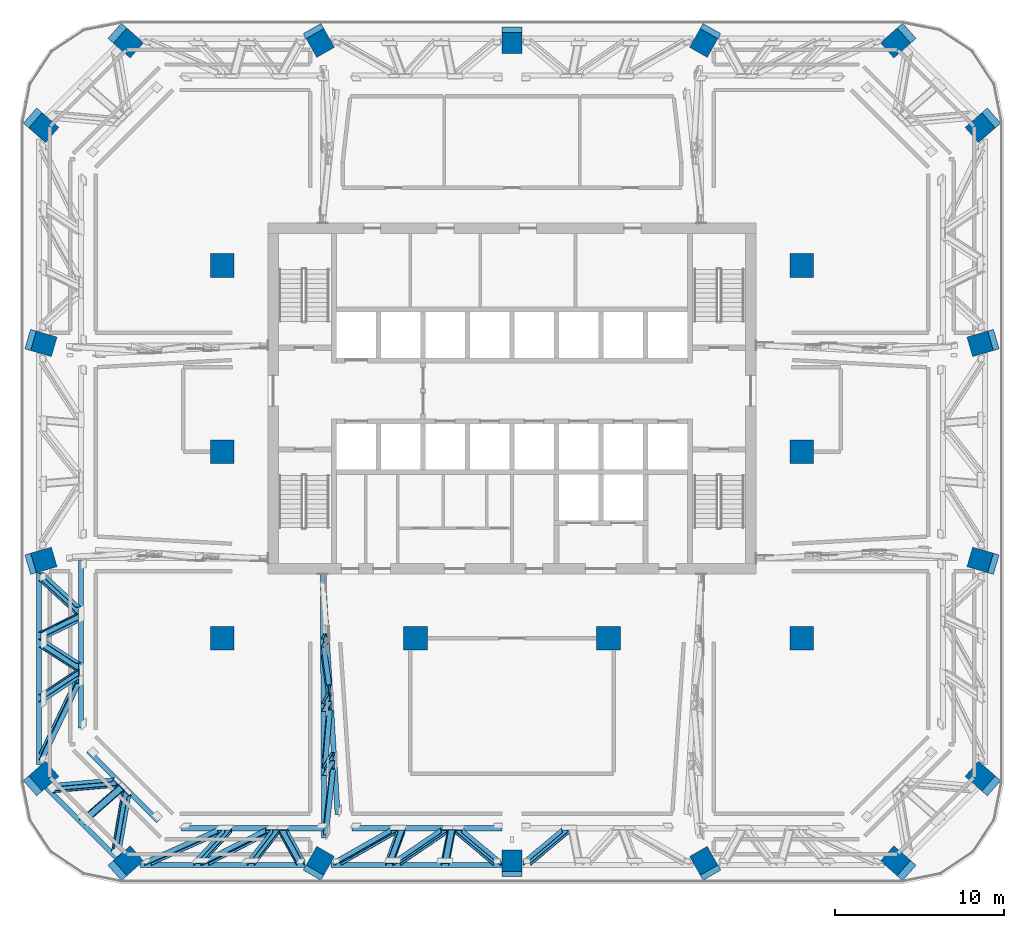
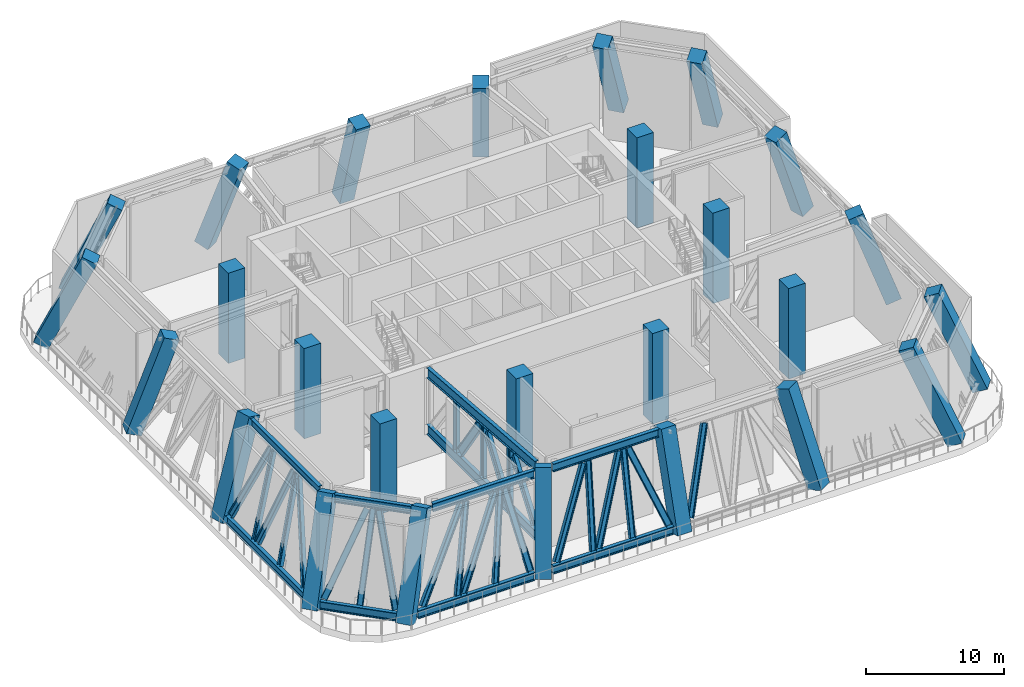
# One storey, part 1 of 24: 35 members, 26 columns.
"""IFC4 building model written with IfcOpenShell, lengths in metres."""

from ifc_helpers import new_model, si_unit, direction, frame, origin, origin_2d, place, context, subcontext, project, spatial, rectangle, i_section, extrude, material, material_profile, profile_set, type_object, element, save


model = new_model("IFC4")

# Units and contexts
model_context = context("Model", 3, precision=1e-05, world=origin(), true_north=direction((0.0, 1.0)))
body_context = subcontext(model_context, "Body", "Model", "MODEL_VIEW")
ifc_project = project(units=[si_unit("LENGTHUNIT", "METRE"), si_unit("AREAUNIT", "SQUARE_METRE"), si_unit("VOLUMEUNIT", "CUBIC_METRE"), si_unit("PLANEANGLEUNIT", "RADIAN"), si_unit("MASSUNIT", "GRAM", prefix="KILO")], contexts=[model_context])

# Site, building, storey
site_placement = place(None, origin())
site = spatial("IfcSite", under=ifc_project, at=site_placement, CompositionType="ELEMENT")
building_placement = place(site_placement, origin())
building = spatial("IfcBuilding", under=site, at=building_placement, Name="Mopane Tessera Tower", CompositionType="ELEMENT")
storey_placement = place(building_placement, frame((0.0, 0.0, 148.60009765625)))
storey = spatial("IfcBuildingStorey", under=building, at=storey_placement, Name="L30", CompositionType="ELEMENT", Elevation=148.60009765625)

# Columns
ifc_material_1 = material(Name="Concrete C50/60", Category="concrete")
ifc_material_profile_1 = material_profile(ifc_material_1, rectangle(XDim=1.39990234375, YDim=1.39990234375, at=origin_2d()))
ifc_profile_set_1 = profile_set([ifc_material_profile_1], Name="Concrete C50/60")
column_type_1 = type_object("IfcColumnType", Name="Interior column 1400 x 1400 C50/60", PredefinedType="COLUMN", material=ifc_profile_set_1)
for number, where, z_axis, x_axis, name in (
    (1, (-17.10009765625, -11.0, 0.0), (0.0, 0.0, 1.0), (1.0, 0.0, 0.0), "Interior column I1A L30"),
    (2, (-17.10009765625, 0.0, 0.0), (0.0, 0.0, 1.0), (1.0, 0.0, 0.0), "Interior column I1B L30"),
    (3, (-17.10009765625, 11.0, 0.0), (0.0, 0.0, 1.0), (1.0, 0.0, 0.0), "Interior column I1C L30"),
    (4, (-5.699951171875, -11.0, 0.0), (0.0, 0.0, 1.0), (1.0, 0.0, 0.0), "Interior column I2A L30"),
    (5, (5.699951171875, -11.0, 0.0), (0.0, 0.0, 1.0), (1.0, 0.0, 0.0), "Interior column I3A L30"),
    (6, (17.10009765625, -11.0, 0.0), (0.0, 0.0, 1.0), (1.0, 0.0, 0.0), "Interior column I4A L30"),
    (7, (17.10009765625, 0.0, 0.0), (0.0, 0.0, 1.0), (1.0, 0.0, 0.0), "Interior column I4B L30"),
    (8, (17.10009765625, 11.0, 0.0), (0.0, 0.0, 1.0), (1.0, 0.0, 0.0), "Interior column I4C L30"),
):
    element("IfcColumn", number, at=place(storey_placement, frame(where, z_axis=z_axis, x_axis=x_axis)), inside=storey, type_object=column_type_1, Name=name, PredefinedType="COLUMN", context=body_context, shape_type="SweptSolid", body=[
        extrude(rectangle(XDim=1.39990234375, YDim=1.39990234375, at=origin_2d()), origin(), (0.0, 0.0, 1.0), 8.0),
    ])
ifc_material_2 = material(Name="Concrete C50/60", Category="concrete")
ifc_material_profile_2 = material_profile(ifc_material_2, rectangle(XDim=1.199951171875, YDim=1.199951171875, at=origin_2d()))
ifc_profile_set_2 = profile_set([ifc_material_profile_2], Name="Concrete C50/60")
column_type_2 = type_object("IfcColumnType", Name="Ring column 1200 x 1200 C50/60", PredefinedType="COLUMN", material=ifc_profile_set_2)
column_1_placement = place(storey_placement, frame((-23.050048828125, -24.5, 0.0), z_axis=(0.30925679297, 0.271260320655, 0.91147028171), x_axis=(-0.659413682857, 0.751780283634, 0.0)))
element("IfcColumn", 9, at=column_1_placement, inside=storey, type_object=column_type_2, Name="Ring column S0 L30", PredefinedType="COLUMN", context=body_context, shape_type="SweptSolid", body=[
    extrude(rectangle(XDim=1.199951171875, YDim=1.199951171875, at=origin_2d()), origin(), (0.0, 0.0, 1.0), 8.777099609375),
])
column_2_placement = place(storey_placement, frame((-11.52490234375, -24.5, 0.0), z_axis=(0.160463379213, 0.281547116603, 0.94603526629), x_axis=(-0.868801799195, 0.495160008196, 0.0)))
element("IfcColumn", 10, at=column_2_placement, inside=storey, type_object=column_type_2, Name="Ring column S1 L30", PredefinedType="COLUMN", context=body_context, shape_type="SweptSolid", body=[
    extrude(rectangle(XDim=1.199951171875, YDim=1.199951171875, at=origin_2d()), origin(), (0.0, 0.0, 1.0), 8.456298828125),
])
column_3_placement = place(storey_placement, frame((0.0, -24.5, 0.0), z_axis=(0.0, 0.285243358686, 0.958455124837), x_axis=(-1.0, 0.0, 0.0)))
element("IfcColumn", 11, at=column_3_placement, inside=storey, type_object=column_type_2, Name="Ring column S2 L30", PredefinedType="COLUMN", context=body_context, shape_type="SweptSolid", body=[
    extrude(rectangle(XDim=1.199951171875, YDim=1.199951171875, at=origin_2d()), origin(), (0.0, 0.0, 1.0), 8.3466796875),
])
column_4_placement = place(storey_placement, frame((11.52490234375, -24.5, 0.0), z_axis=(-0.160463379213, 0.281547116603, 0.94603526629), x_axis=(-0.868801799195, -0.495160008196, 0.0)))
element("IfcColumn", 12, at=column_4_placement, inside=storey, type_object=column_type_2, Name="Ring column S3 L30", PredefinedType="COLUMN", context=body_context, shape_type="SweptSolid", body=[
    extrude(rectangle(XDim=1.199951171875, YDim=1.199951171875, at=origin_2d()), origin(), (0.0, 0.0, 1.0), 8.456298828125),
])
for number, where, z_axis, x_axis, name in (
    (13, (23.050048828125, -24.5, 0.0), (-0.30925679297, 0.271260320655, 0.91147028171), (-0.659413682857, -0.751780283634, 0.0), "Ring column S4 L30"),
    (14, (28.050048828125, -19.5, 0.0), (-0.30925679297, 0.271260320655, 0.91147028171), (-0.659413682857, -0.751780283634, 0.0), "Ring column E0 L30"),
):
    element("IfcColumn", number, at=place(storey_placement, frame(where, z_axis=z_axis, x_axis=x_axis)), inside=storey, type_object=column_type_2, Name=name, PredefinedType="COLUMN", context=body_context, shape_type="SweptSolid", body=[
        extrude(rectangle(XDim=1.199951171875, YDim=1.199951171875, at=origin_2d()), origin(), (0.0, 0.0, 1.0), 8.777099609375),
    ])
for number, where, z_axis, x_axis, name in (
    (15, (28.050048828125, -6.5, 0.0), (-0.319895858585, 0.093511561468, 0.942826721902), (-0.280576780783, -0.95983158423, 0.0), "Ring column E1 L30"),
    (16, (28.050048828125, 6.5, 0.0), (-0.319895858585, -0.093511561468, 0.942826721902), (0.280576780783, -0.95983158423, 0.0), "Ring column E2 L30"),
):
    element("IfcColumn", number, at=place(storey_placement, frame(where, z_axis=z_axis, x_axis=x_axis)), inside=storey, type_object=column_type_2, Name=name, PredefinedType="COLUMN", context=body_context, shape_type="SweptSolid", body=[
        extrude(rectangle(XDim=1.199951171875, YDim=1.199951171875, at=origin_2d()), origin(), (0.0, 0.0, 1.0), 8.485107421875),
    ])
for number, where, z_axis, x_axis, name in (
    (17, (28.050048828125, 19.5, 0.0), (-0.30925679297, -0.271260320655, 0.91147028171), (0.659413682857, -0.751780283634, 0.0), "Ring column E3 L30"),
    (18, (23.050048828125, 24.5, 0.0), (-0.30925679297, -0.271260320655, 0.91147028171), (0.659413682857, -0.751780283634, 0.0), "Ring column N0 L30"),
):
    element("IfcColumn", number, at=place(storey_placement, frame(where, z_axis=z_axis, x_axis=x_axis)), inside=storey, type_object=column_type_2, Name=name, PredefinedType="COLUMN", context=body_context, shape_type="SweptSolid", body=[
        extrude(rectangle(XDim=1.199951171875, YDim=1.199951171875, at=origin_2d()), origin(), (0.0, 0.0, 1.0), 8.777099609375),
    ])
column_5_placement = place(storey_placement, frame((11.52490234375, 24.5, 0.0), z_axis=(-0.160463379213, -0.281547116603, 0.94603526629), x_axis=(0.868801799195, -0.495160008196, 0.0)))
element("IfcColumn", 19, at=column_5_placement, inside=storey, type_object=column_type_2, Name="Ring column N1 L30", PredefinedType="COLUMN", context=body_context, shape_type="SweptSolid", body=[
    extrude(rectangle(XDim=1.199951171875, YDim=1.199951171875, at=origin_2d()), origin(), (0.0, 0.0, 1.0), 8.456298828125),
])
column_6_placement = place(storey_placement, frame((0.0, 24.5, 0.0), z_axis=(0.0, -0.285243358686, 0.958455124837), x_axis=(1.0, 0.0, 0.0)))
element("IfcColumn", 20, at=column_6_placement, inside=storey, type_object=column_type_2, Name="Ring column N2 L30", PredefinedType="COLUMN", context=body_context, shape_type="SweptSolid", body=[
    extrude(rectangle(XDim=1.199951171875, YDim=1.199951171875, at=origin_2d()), origin(), (0.0, 0.0, 1.0), 8.3466796875),
])
column_7_placement = place(storey_placement, frame((-11.52490234375, 24.5, 0.0), z_axis=(0.160463379213, -0.281547116603, 0.94603526629), x_axis=(0.868801799195, 0.495160008196, 0.0)))
element("IfcColumn", 21, at=column_7_placement, inside=storey, type_object=column_type_2, Name="Ring column N3 L30", PredefinedType="COLUMN", context=body_context, shape_type="SweptSolid", body=[
    extrude(rectangle(XDim=1.199951171875, YDim=1.199951171875, at=origin_2d()), origin(), (0.0, 0.0, 1.0), 8.456298828125),
])
for number, where, z_axis, x_axis, name in (
    (22, (-23.050048828125, 24.5, 0.0), (0.30925679297, -0.271260320655, 0.91147028171), (0.659413682857, 0.751780283634, 0.0), "Ring column N4 L30"),
    (23, (-28.050048828125, 19.5, 0.0), (0.30925679297, -0.271260320655, 0.91147028171), (0.659413682857, 0.751780283634, 0.0), "Ring column W0 L30"),
):
    element("IfcColumn", number, at=place(storey_placement, frame(where, z_axis=z_axis, x_axis=x_axis)), inside=storey, type_object=column_type_2, Name=name, PredefinedType="COLUMN", context=body_context, shape_type="SweptSolid", body=[
        extrude(rectangle(XDim=1.199951171875, YDim=1.199951171875, at=origin_2d()), origin(), (0.0, 0.0, 1.0), 8.777099609375),
    ])
for number, where, z_axis, x_axis, name in (
    (24, (-28.050048828125, 6.5, 0.0), (0.319895858585, -0.093511561468, 0.942826721902), (0.280576780783, 0.95983158423, 0.0), "Ring column W1 L30"),
    (25, (-28.050048828125, -6.5, 0.0), (0.319895858585, 0.093511561468, 0.942826721902), (-0.280576780783, 0.95983158423, 0.0), "Ring column W2 L30"),
):
    element("IfcColumn", number, at=place(storey_placement, frame(where, z_axis=z_axis, x_axis=x_axis)), inside=storey, type_object=column_type_2, Name=name, PredefinedType="COLUMN", context=body_context, shape_type="SweptSolid", body=[
        extrude(rectangle(XDim=1.199951171875, YDim=1.199951171875, at=origin_2d()), origin(), (0.0, 0.0, 1.0), 8.485107421875),
    ])
column_8_placement = place(storey_placement, frame((-28.050048828125, -19.5, 0.0), z_axis=(0.30925679297, 0.271260320655, 0.91147028171), x_axis=(-0.659413682857, 0.751780283634, 0.0)))
element("IfcColumn", 26, at=column_8_placement, inside=storey, type_object=column_type_2, Name="Ring column W3 L30", PredefinedType="COLUMN", context=body_context, shape_type="SweptSolid", body=[
    extrude(rectangle(XDim=1.199951171875, YDim=1.199951171875, at=origin_2d()), origin(), (0.0, 0.0, 1.0), 8.777099609375),
])

# Members
ifc_material_3 = material(Name="Structural steel S460", Category="steel")
ifc_material_profile_3 = material_profile(ifc_material_3, i_section(OverallWidth=0.303955078125, OverallDepth=0.716064453125, WebThickness=0.02099609375, FlangeThickness=0.0400390625, FilletRadius=0.027099609375, at=origin_2d()))
ifc_profile_set_3 = profile_set([ifc_material_profile_3], Name="Structural steel S460")
member_type_1 = type_object("IfcMemberType", Name="Belt truss chord HE 700 M", PredefinedType="CHORD", material=ifc_profile_set_3)
member_1_placement = place(storey_placement, frame((-21.97216796875, -24.3935546875, 0.35791015625), z_axis=(1.0, 0.0, 0.0), x_axis=(0.0, 1.0, 0.0)))
element("IfcMember", 27, at=member_1_placement, inside=storey, type_object=member_type_1, Name="Belt truss bottom chord L30 S0-S1", PredefinedType="CHORD", context=body_context, shape_type="SweptSolid", body=[
    extrude(i_section(OverallWidth=0.303955078125, OverallDepth=0.716064453125, WebThickness=0.02099609375, FlangeThickness=0.0400390625, FilletRadius=0.027099609375, at=origin_2d()), origin(), (0.0, 0.0, 1.0), 9.7314453125),
])
member_2_placement = place(storey_placement, frame((-19.500732421875, -22.2255859375, 7.641845703125), z_axis=(1.0, 0.0, 0.0), x_axis=(0.0, 1.0, 0.0)))
element("IfcMember", 28, at=member_2_placement, inside=storey, type_object=member_type_1, Name="Belt truss top chord L30 S0-S1", PredefinedType="CHORD", context=body_context, shape_type="SweptSolid", body=[
    extrude(i_section(OverallWidth=0.303955078125, OverallDepth=0.716064453125, WebThickness=0.02099609375, FlangeThickness=0.0400390625, FilletRadius=0.027099609375, at=origin_2d()), origin(), (0.0, 0.0, 1.0), 8.495361328125),
])
member_3_placement = place(storey_placement, frame((-10.6875, -24.3935546875, 0.35791015625), z_axis=(1.0, 0.0, 0.0), x_axis=(0.0, 1.0, 0.0)))
element("IfcMember", 29, at=member_3_placement, inside=storey, type_object=member_type_1, Name="Belt truss bottom chord L30 S1-S2", PredefinedType="CHORD", context=body_context, shape_type="SweptSolid", body=[
    extrude(i_section(OverallWidth=0.303955078125, OverallDepth=0.716064453125, WebThickness=0.02099609375, FlangeThickness=0.0400390625, FilletRadius=0.027099609375, at=origin_2d()), origin(), (0.0, 0.0, 1.0), 10.087890625),
])
member_4_placement = place(storey_placement, frame((-9.451904296875, -22.2255859375, 7.641845703125), z_axis=(1.0, 0.0, 0.0), x_axis=(0.0, 1.0, 0.0)))
element("IfcMember", 30, at=member_4_placement, inside=storey, type_object=member_type_1, Name="Belt truss top chord L30 S1-S2", PredefinedType="CHORD", context=body_context, shape_type="SweptSolid", body=[
    extrude(i_section(OverallWidth=0.303955078125, OverallDepth=0.716064453125, WebThickness=0.02099609375, FlangeThickness=0.0400390625, FilletRadius=0.027099609375, at=origin_2d()), origin(), (0.0, 0.0, 1.0), 8.852294921875),
])
member_5_placement = place(storey_placement, frame((-27.928466796875, -7.133544921875, 0.35791015625), z_axis=(0.0, -1.0, 0.0), x_axis=(1.0, 0.0, 0.0)))
element("IfcMember", 31, at=member_5_placement, inside=storey, type_object=member_type_1, Name="Belt truss bottom chord L30 W2-W3", PredefinedType="CHORD", context=body_context, shape_type="SweptSolid", body=[
    extrude(i_section(OverallWidth=0.303955078125, OverallDepth=0.716064453125, WebThickness=0.02099609375, FlangeThickness=0.0400390625, FilletRadius=0.027099609375, at=origin_2d()), origin(), (0.0, 0.0, 1.0), 11.3291015625),
])
member_6_placement = place(storey_placement, frame((-25.45703125, -6.410888671875, 7.641845703125), z_axis=(0.0, -1.0, 0.0), x_axis=(1.0, 0.0, 0.0)))
element("IfcMember", 32, at=member_6_placement, inside=storey, type_object=member_type_1, Name="Belt truss top chord L30 W2-W3", PredefinedType="CHORD", context=body_context, shape_type="SweptSolid", body=[
    extrude(i_section(OverallWidth=0.303955078125, OverallDepth=0.716064453125, WebThickness=0.02099609375, FlangeThickness=0.0400390625, FilletRadius=0.027099609375, at=origin_2d()), origin(), (0.0, 0.0, 1.0), 9.884033203125),
])
member_7_placement = place(storey_placement, frame((-27.496826171875, -19.8251953125, 0.35791015625), z_axis=(0.707106781187, -0.707106781187, 0.0), x_axis=(0.707106781187, 0.707106781187, 0.0)))
element("IfcMember", 33, at=member_7_placement, inside=storey, type_object=member_type_1, Name="Belt truss bottom chord L30 W3-S0", PredefinedType="CHORD", context=body_context, shape_type="SweptSolid", body=[
    extrude(i_section(OverallWidth=0.303955078125, OverallDepth=0.716064453125, WebThickness=0.02099609375, FlangeThickness=0.0400390625, FilletRadius=0.027099609375, at=origin_2d()), origin(), (0.0, 0.0, 1.0), 5.849853515625),
])
member_8_placement = place(storey_placement, frame((-25.025390625, -17.657470703125, 7.641845703125), z_axis=(0.707127648719, -0.707085913038, 0.0), x_axis=(0.707085913038, 0.707127648719, 0.0)))
element("IfcMember", 34, at=member_8_placement, inside=storey, type_object=member_type_1, Name="Belt truss top chord L30 W3-S0", PredefinedType="CHORD", context=body_context, shape_type="SweptSolid", body=[
    extrude(i_section(OverallWidth=0.303955078125, OverallDepth=0.716064453125, WebThickness=0.02099609375, FlangeThickness=0.0400390625, FilletRadius=0.027099609375, at=origin_2d()), origin(), (0.0, 0.0, 1.0), 5.849609375),
])
ifc_material_4 = material(Name="Structural steel S460", Category="steel")
ifc_material_profile_4 = material_profile(ifc_material_4, i_section(OverallWidth=0.300048828125, OverallDepth=0.5, WebThickness=0.014404296875, FlangeThickness=0.028076171875, FilletRadius=0.027099609375, at=origin_2d()))
ifc_profile_set_4 = profile_set([ifc_material_profile_4], Name="Structural steel S460")
member_type_2 = type_object("IfcMemberType", Name="Belt truss diagonal HE 500 B", PredefinedType="BRACE", material=ifc_profile_set_4)
member_9_placement = place(storey_placement, frame((-21.50634765625, -24.271240234375, 0.768798828125), z_axis=(0.539957771067, 0.240096366228, 0.806721352382), x_axis=(-0.133562461913, 0.970749058537, -0.199517753889)))
element("IfcMember", 35, at=member_9_placement, inside=storey, type_object=member_type_2, Name="Belt truss diagonal 0 L30 S0-S1", PredefinedType="BRACE", context=body_context, shape_type="SweptSolid", body=[
    extrude(i_section(OverallWidth=0.300048828125, OverallDepth=0.5, WebThickness=0.014404296875, FlangeThickness=0.028076171875, FilletRadius=0.027099609375, at=origin_2d()), origin(), (0.0, 0.0, 1.0), 8.0107421875),
])
member_10_placement = place(storey_placement, frame((-18.126220703125, -24.273681640625, 0.7607421875), z_axis=(0.489528727002, 0.248748496806, 0.83575463551), x_axis=(-0.125750463876, 0.968568110283, -0.214622078497)))
element("IfcMember", 36, at=member_10_placement, inside=storey, type_object=member_type_2, Name="Belt truss diagonal 1 L30 S0-S1", PredefinedType="BRACE", context=body_context, shape_type="SweptSolid", body=[
    extrude(i_section(OverallWidth=0.300048828125, OverallDepth=0.5, WebThickness=0.014404296875, FlangeThickness=0.028076171875, FilletRadius=0.027099609375, at=origin_2d()), origin(), (0.0, 0.0, 1.0), 7.751708984375),
])
member_11_placement = place(storey_placement, frame((-13.532958984375, -22.347900390625, 7.231201171875), z_axis=(0.154753056421, -0.281817979308, -0.946905548652), x_axis=(0.045419249479, 0.959467886571, -0.278133900157)))
element("IfcMember", 37, at=member_11_placement, inside=storey, type_object=member_type_2, Name="Belt truss diagonal 2 L30 S0-S1", PredefinedType="BRACE", context=body_context, shape_type="SweptSolid", body=[
    extrude(i_section(OverallWidth=0.300048828125, OverallDepth=0.5, WebThickness=0.014404296875, FlangeThickness=0.028076171875, FilletRadius=0.027099609375, at=origin_2d()), origin(), (0.0, 0.0, 1.0), 6.82470703125),
])
member_12_placement = place(storey_placement, frame((-10.31396484375, -24.269775390625, 0.7734375), z_axis=(0.447801640419, 0.255043639384, 0.856986833532), x_axis=(-0.118069036868, 0.966929542152, -0.226068491937)))
element("IfcMember", 38, at=member_12_placement, inside=storey, type_object=member_type_2, Name="Belt truss diagonal 0 L30 S1-S2", PredefinedType="BRACE", context=body_context, shape_type="SweptSolid", body=[
    extrude(i_section(OverallWidth=0.300048828125, OverallDepth=0.5, WebThickness=0.014404296875, FlangeThickness=0.028076171875, FilletRadius=0.027099609375, at=origin_2d()), origin(), (0.0, 0.0, 1.0), 7.52978515625),
])
member_13_placement = place(storey_placement, frame((-6.800048828125, -24.272216796875, 0.765380859375), z_axis=(0.386206711804, 0.263121047886, 0.884088055522), x_axis=(-0.105312041538, 0.964762827733, -0.241126647496)))
element("IfcMember", 39, at=member_13_placement, inside=storey, type_object=member_type_2, Name="Belt truss diagonal 1 L30 S1-S2", PredefinedType="BRACE", context=body_context, shape_type="SweptSolid", body=[
    extrude(i_section(OverallWidth=0.300048828125, OverallDepth=0.5, WebThickness=0.014404296875, FlangeThickness=0.028076171875, FilletRadius=0.027099609375, at=origin_2d()), origin(), (0.0, 0.0, 1.0), 7.317138671875),
])
for number, where, z_axis, x_axis, name in (
    (40, (-3.178466796875, -22.349365234375, 7.226318359375), (0.322762135486, -0.269975218814, -0.907159294238), (0.090500976826, 0.962867270821, -0.254354461284), "Belt truss diagonal 2 L30 S1-S2"),
    (41, (0.882568359375, -24.269775390625, 0.7734375), (0.322762135486, 0.269975218814, 0.907159294238), (-0.090500976826, 0.962867270821, -0.254354461284), "Belt truss diagonal 0 L30 S2-S3"),
):
    element("IfcMember", number, at=place(storey_placement, frame(where, z_axis=z_axis, x_axis=x_axis)), inside=storey, type_object=member_type_2, Name=name, PredefinedType="BRACE", context=body_context, shape_type="SweptSolid", body=[
        extrude(i_section(OverallWidth=0.300048828125, OverallDepth=0.5, WebThickness=0.014404296875, FlangeThickness=0.028076171875, FilletRadius=0.027099609375, at=origin_2d()), origin(), (0.0, 0.0, 1.0), 7.11328125),
    ])
member_14_placement = place(storey_placement, frame((-27.782958984375, -7.377197265625, 0.787109375), z_axis=(0.308034642932, -0.284337016987, 0.907891579168), x_axis=(0.951375140784, 0.092078103531, -0.293950615494)))
element("IfcMember", 42, at=member_14_placement, inside=storey, type_object=member_type_2, Name="Belt truss diagonal 0 L30 W2-W3", PredefinedType="BRACE", context=body_context, shape_type="SweptSolid", body=[
    extrude(i_section(OverallWidth=0.300048828125, OverallDepth=0.5, WebThickness=0.014404296875, FlangeThickness=0.028076171875, FilletRadius=0.027099609375, at=origin_2d()), origin(), (0.0, 0.0, 1.0), 7.07763671875),
])
member_15_placement = place(storey_placement, frame((-27.78564453125, -11.291259765625, 0.779541015625), z_axis=(0.314628603401, -0.203285505146, 0.927191374701), x_axis=(0.949214855117, 0.06740952681, -0.307322492701)))
element("IfcMember", 43, at=member_15_placement, inside=storey, type_object=member_type_2, Name="Belt truss diagonal 1 L30 W2-W3", PredefinedType="BRACE", context=body_context, shape_type="SweptSolid", body=[
    extrude(i_section(OverallWidth=0.300048828125, OverallDepth=0.5, WebThickness=0.014404296875, FlangeThickness=0.028076171875, FilletRadius=0.027099609375, at=origin_2d()), origin(), (0.0, 0.0, 1.0), 6.946533203125),
])
member_16_placement = place(storey_placement, frame((-25.602783203125, -13.484375, 7.212890625), z_axis=(-0.267157591425, -0.5555262391, -0.787411848409), x_axis=(0.963652852959, -0.153995532867, -0.218308393888)))
element("IfcMember", 44, at=member_16_placement, inside=storey, type_object=member_type_2, Name="Belt truss diagonal 2 L30 W2-W3", PredefinedType="BRACE", context=body_context, shape_type="SweptSolid", body=[
    extrude(i_section(OverallWidth=0.300048828125, OverallDepth=0.5, WebThickness=0.014404296875, FlangeThickness=0.028076171875, FilletRadius=0.027099609375, at=origin_2d()), origin(), (0.0, 0.0, 1.0), 8.16064453125),
])
member_17_placement = place(storey_placement, frame((-27.20263671875, -19.86328125, 0.759765625), z_axis=(0.504595818255, 0.044567108449, 0.862204635248), x_axis=(0.554692988801, 0.748541479717, -0.363319888415)))
element("IfcMember", 45, at=member_17_placement, inside=storey, type_object=member_type_2, Name="Belt truss diagonal 0 L30 W3-S0", PredefinedType="BRACE", context=body_context, shape_type="SweptSolid", body=[
    extrude(i_section(OverallWidth=0.300048828125, OverallDepth=0.5, WebThickness=0.014404296875, FlangeThickness=0.028076171875, FilletRadius=0.027099609375, at=origin_2d()), origin(), (0.0, 0.0, 1.0), 7.515869140625),
])
member_18_placement = place(storey_placement, frame((-22.776611328125, -20.161865234375, 7.239990234375), z_axis=(-0.081781629419, -0.475976340966, -0.875647353636), x_axis=(0.734409592741, 0.565169586582, -0.375800330619)))
element("IfcMember", 46, at=member_18_placement, inside=storey, type_object=member_type_2, Name="Belt truss diagonal 1 L30 W3-S0", PredefinedType="BRACE", context=body_context, shape_type="SweptSolid", body=[
    extrude(i_section(OverallWidth=0.300048828125, OverallDepth=0.5, WebThickness=0.014404296875, FlangeThickness=0.028076171875, FilletRadius=0.027099609375, at=origin_2d()), origin(), (0.0, 0.0, 1.0), 7.400390625),
])
ifc_material_5 = material(Name="Structural steel S460", Category="steel")
ifc_material_profile_5 = material_profile(ifc_material_5, i_section(OverallWidth=0.300048828125, OverallDepth=0.449951171875, WebThickness=0.013916015625, FlangeThickness=0.02587890625, FilletRadius=0.027099609375, at=origin_2d()))
ifc_profile_set_5 = profile_set([ifc_material_profile_5], Name="Structural steel S460")
member_type_3 = type_object("IfcMemberType", Name="Belt truss post HE 450 B", PredefinedType="POST", material=ifc_profile_set_5)
member_19_placement = place(storey_placement, frame((-18.58349609375, -24.286865234375, 0.7158203125), z_axis=(0.256114656832, 0.275744259413, 0.926482803919), x_axis=(-0.073510528883, 0.961231034564, -0.265765122494)))
element("IfcMember", 47, at=member_19_placement, inside=storey, type_object=member_type_3, Name="Belt truss post 1 L30 S0-S1", PredefinedType="POST", context=body_context, shape_type="SweptSolid", body=[
    extrude(i_section(OverallWidth=0.300048828125, OverallDepth=0.449951171875, WebThickness=0.013916015625, FlangeThickness=0.02587890625, FilletRadius=0.027099609375, at=origin_2d()), origin(), (0.0, 0.0, 1.0), 7.08935546875),
])
member_20_placement = place(storey_placement, frame((-15.426513671875, -24.286865234375, 0.7158203125), z_axis=(0.214820709014, 0.278598868978, 0.936074106673), x_axis=(-0.062297860569, 0.960407554053, -0.271544299675)))
element("IfcMember", 48, at=member_20_placement, inside=storey, type_object=member_type_3, Name="Belt truss post 2 L30 S0-S1", PredefinedType="POST", context=body_context, shape_type="SweptSolid", body=[
    extrude(i_section(OverallWidth=0.300048828125, OverallDepth=0.449951171875, WebThickness=0.013916015625, FlangeThickness=0.02587890625, FilletRadius=0.027099609375, at=origin_2d()), origin(), (0.0, 0.0, 1.0), 7.0166015625),
])
member_21_placement = place(storey_placement, frame((-7.247802734375, -24.286865234375, 0.7158203125), z_axis=(0.102768832793, 0.283748291095, 0.953375830566), x_axis=(-0.030455696145, 0.958898798305, -0.282109101558)))
element("IfcMember", 49, at=member_21_placement, inside=storey, type_object=member_type_3, Name="Belt truss post 1 L30 S1-S2", PredefinedType="POST", context=body_context, shape_type="SweptSolid", body=[
    extrude(i_section(OverallWidth=0.300048828125, OverallDepth=0.449951171875, WebThickness=0.013916015625, FlangeThickness=0.02587890625, FilletRadius=0.027099609375, at=origin_2d()), origin(), (0.0, 0.0, 1.0), 6.889404296875),
])
member_22_placement = place(storey_placement, frame((-3.9580078125, -24.286865234375, 0.7158203125), z_axis=(0.056306738982, 0.284806101722, 0.956930005574), x_axis=(-0.01684538224, 0.958585140719, -0.284307511491)))
element("IfcMember", 50, at=member_22_placement, inside=storey, type_object=member_type_3, Name="Belt truss post 2 L30 S1-S2", PredefinedType="POST", context=body_context, shape_type="SweptSolid", body=[
    extrude(i_section(OverallWidth=0.300048828125, OverallDepth=0.449951171875, WebThickness=0.013916015625, FlangeThickness=0.02587890625, FilletRadius=0.027099609375, at=origin_2d()), origin(), (0.0, 0.0, 1.0), 6.86376953125),
])
member_23_placement = place(storey_placement, frame((-27.80712890625, -10.866943359375, 0.7158203125), z_axis=(0.317327080208, 0.156821040624, 0.935259688741), x_axis=(0.948316151939, -0.052487909456, -0.312956059746)))
element("IfcMember", 51, at=member_23_placement, inside=storey, type_object=member_type_3, Name="Belt truss post 1 L30 W2-W3", PredefinedType="POST", context=body_context, shape_type="SweptSolid", body=[
    extrude(i_section(OverallWidth=0.300048828125, OverallDepth=0.449951171875, WebThickness=0.013916015625, FlangeThickness=0.02587890625, FilletRadius=0.027099609375, at=origin_2d()), origin(), (0.0, 0.0, 1.0), 7.022705078125),
])
member_24_placement = place(storey_placement, frame((-27.80712890625, -14.555908203125, 0.7158203125), z_axis=(0.314271402728, 0.208056757963, 0.926253675239), x_axis=(0.949333178878, -0.068845032913, -0.306638022633)))
element("IfcMember", 52, at=member_24_placement, inside=storey, type_object=member_type_3, Name="Belt truss post 2 L30 W2-W3", PredefinedType="POST", context=body_context, shape_type="SweptSolid", body=[
    extrude(i_section(OverallWidth=0.300048828125, OverallDepth=0.449951171875, WebThickness=0.013916015625, FlangeThickness=0.02587890625, FilletRadius=0.027099609375, at=origin_2d()), origin(), (0.0, 0.0, 1.0), 7.091064453125),
])
member_25_placement = place(storey_placement, frame((-25.30712890625, -21.786865234375, 0.7158203125), z_axis=(0.309254295345, 0.27127510329, 0.911466729588), x_axis=(0.636223022636, 0.653344973559, -0.410317695198)))
element("IfcMember", 53, at=member_25_placement, inside=storey, type_object=member_type_3, Name="Belt truss post 1 L30 W3-S0", PredefinedType="POST", context=body_context, shape_type="SweptSolid", body=[
    extrude(i_section(OverallWidth=0.300048828125, OverallDepth=0.449951171875, WebThickness=0.013916015625, FlangeThickness=0.02587890625, FilletRadius=0.027099609375, at=origin_2d()), origin(), (0.0, 0.0, 1.0), 7.2060546875),
])
ifc_material_6 = material(Name="Structural steel S460", Category="steel")
ifc_material_profile_6 = material_profile(ifc_material_6, i_section(OverallWidth=0.302001953125, OverallDepth=0.909912109375, WebThickness=0.02099609375, FlangeThickness=0.0400390625, FilletRadius=0.030029296875, at=origin_2d()))
ifc_profile_set_6 = profile_set([ifc_material_profile_6], Name="Structural steel S460")
member_type_4 = type_object("IfcMemberType", Name="Outrigger truss chord HE 900 M", PredefinedType="CHORD", material=ifc_profile_set_6)
member_26_placement = place(storey_placement, frame((-11.168701171875, -7.215087890625, 2.554931640625), z_axis=(0.004667942062, -0.999989105099, 0.0), x_axis=(0.999989105099, 0.004667942062, 0.0)))
element("IfcMember", 54, at=member_26_placement, inside=storey, type_object=member_type_4, Name="Outrigger truss bottom chord L30 S1", PredefinedType="CHORD", context=body_context, shape_type="SweptSolid", body=[
    extrude(i_section(OverallWidth=0.302001953125, OverallDepth=0.909912109375, WebThickness=0.02099609375, FlangeThickness=0.0400390625, FilletRadius=0.030029296875, at=origin_2d()), origin(), (0.0, 0.0, 1.0), 15.5859375),
])
member_27_placement = place(storey_placement, frame((-11.167724609375, -7.215087890625, 7.544921875), z_axis=(0.061226374757, -0.998123905652, 0.0), x_axis=(0.998123905652, 0.061226374757, 0.0)))
element("IfcMember", 55, at=member_27_placement, inside=storey, type_object=member_type_4, Name="Outrigger truss top chord L30 S1", PredefinedType="CHORD", context=body_context, shape_type="SweptSolid", body=[
    extrude(i_section(OverallWidth=0.302001953125, OverallDepth=0.909912109375, WebThickness=0.02099609375, FlangeThickness=0.0400390625, FilletRadius=0.030029296875, at=origin_2d()), origin(), (0.0, 0.0, 1.0), 14.21142578125),
])
ifc_material_7 = material(Name="Structural steel S460", Category="steel")
ifc_material_profile_7 = material_profile(ifc_material_7, i_section(OverallWidth=0.300048828125, OverallDepth=0.699951171875, WebThickness=0.01708984375, FlangeThickness=0.031982421875, FilletRadius=0.027099609375, at=origin_2d()))
ifc_profile_set_7 = profile_set([ifc_material_profile_7], Name="Structural steel S460")
member_type_5 = type_object("IfcMemberType", Name="Outrigger truss diagonal HE 700 B", PredefinedType="BRACE", material=ifc_profile_set_7)
member_28_placement = place(storey_placement, frame((-11.1171875, -11.752197265625, 3.189208984375), z_axis=(0.071849366406, -0.523497825465, 0.84899216444), x_axis=(0.997407809063, 0.041051619149, -0.059096759517)))
element("IfcMember", 56, at=member_28_placement, inside=storey, type_object=member_type_5, Name="Outrigger truss diagonal 1 L30 S1", PredefinedType="BRACE", context=body_context, shape_type="SweptSolid", body=[
    extrude(i_section(OverallWidth=0.300048828125, OverallDepth=0.699951171875, WebThickness=0.01708984375, FlangeThickness=0.031982421875, FilletRadius=0.027099609375, at=origin_2d()), origin(), (0.0, 0.0, 1.0), 4.38330078125),
])
member_29_placement = place(storey_placement, frame((-10.75244140625, -14.97705078125, 6.91064453125), z_axis=(-0.057869689112, -0.668711004188, -0.741266950538), x_axis=(0.998318153453, -0.036190288233, -0.045289375393)))
element("IfcMember", 57, at=member_29_placement, inside=storey, type_object=member_type_5, Name="Outrigger truss diagonal 2 L30 S1", PredefinedType="BRACE", context=body_context, shape_type="SweptSolid", body=[
    extrude(i_section(OverallWidth=0.300048828125, OverallDepth=0.699951171875, WebThickness=0.01708984375, FlangeThickness=0.031982421875, FilletRadius=0.027099609375, at=origin_2d()), origin(), (0.0, 0.0, 1.0), 5.020263671875),
])
member_30_placement = place(storey_placement, frame((-10.565673828125, -18.501953125, 6.89599609375), z_axis=(-0.079908937861, -0.72186225379, -0.687407774326), x_axis=(0.99679700815, -0.055649170664, -0.057436002183)))
element("IfcMember", 58, at=member_30_placement, inside=storey, type_object=member_type_5, Name="Outrigger truss diagonal 3 L30 S1", PredefinedType="BRACE", context=body_context, shape_type="SweptSolid", body=[
    extrude(i_section(OverallWidth=0.300048828125, OverallDepth=0.699951171875, WebThickness=0.01708984375, FlangeThickness=0.031982421875, FilletRadius=0.027099609375, at=origin_2d()), origin(), (0.0, 0.0, 1.0), 5.37109375),
])
ifc_material_8 = material(Name="Structural steel S460", Category="steel")
ifc_material_profile_8 = material_profile(ifc_material_8, i_section(OverallWidth=0.300048828125, OverallDepth=0.5, WebThickness=0.014404296875, FlangeThickness=0.028076171875, FilletRadius=0.027099609375, at=origin_2d()))
ifc_profile_set_8 = profile_set([ifc_material_profile_8], Name="Structural steel S460")
member_type_6 = type_object("IfcMemberType", Name="Outrigger truss post HE 500 B", PredefinedType="POST", material=ifc_profile_set_8)
member_31_placement = place(storey_placement, frame((-11.13037109375, -11.2666015625, 3.010009765625), z_axis=(0.041857658605, 0.073519220883, 0.996415004191), x_axis=(0.999110626138, 0.001999186459, -0.042118404431)))
element("IfcMember", 59, at=member_31_placement, inside=storey, type_object=member_type_6, Name="Outrigger truss post 1 L30 S1", PredefinedType="POST", context=body_context, shape_type="SweptSolid", body=[
    extrude(i_section(OverallWidth=0.300048828125, OverallDepth=0.5, WebThickness=0.014404296875, FlangeThickness=0.028076171875, FilletRadius=0.027099609375, at=origin_2d()), origin(), (0.0, 0.0, 1.0), 4.094482421875),
])
member_32_placement = place(storey_placement, frame((-11.0947265625, -15.06884765625, 3.010009765625), z_axis=(0.080306231477, 0.140890197282, 0.986762819271), x_axis=(0.996759767323, -0.006813154433, -0.080147034713)))
element("IfcMember", 60, at=member_32_placement, inside=storey, type_object=member_type_6, Name="Outrigger truss post 2 L30 S1", PredefinedType="POST", context=body_context, shape_type="SweptSolid", body=[
    extrude(i_section(OverallWidth=0.300048828125, OverallDepth=0.5, WebThickness=0.014404296875, FlangeThickness=0.028076171875, FilletRadius=0.027099609375, at=origin_2d()), origin(), (0.0, 0.0, 1.0), 4.134521484375),
])
member_33_placement = place(storey_placement, frame((-11.058837890625, -18.870849609375, 3.010009765625), z_axis=(0.117266796942, 0.205696543174, 0.971564424246), x_axis=(0.993090542783, -0.019919420367, -0.11564770005)))
element("IfcMember", 61, at=member_33_placement, inside=storey, type_object=member_type_6, Name="Outrigger truss post 3 L30 S1", PredefinedType="POST", context=body_context, shape_type="SweptSolid", body=[
    extrude(i_section(OverallWidth=0.300048828125, OverallDepth=0.5, WebThickness=0.014404296875, FlangeThickness=0.028076171875, FilletRadius=0.027099609375, at=origin_2d()), origin(), (0.0, 0.0, 1.0), 4.19921875),
])

save(model, "model.ifc")
